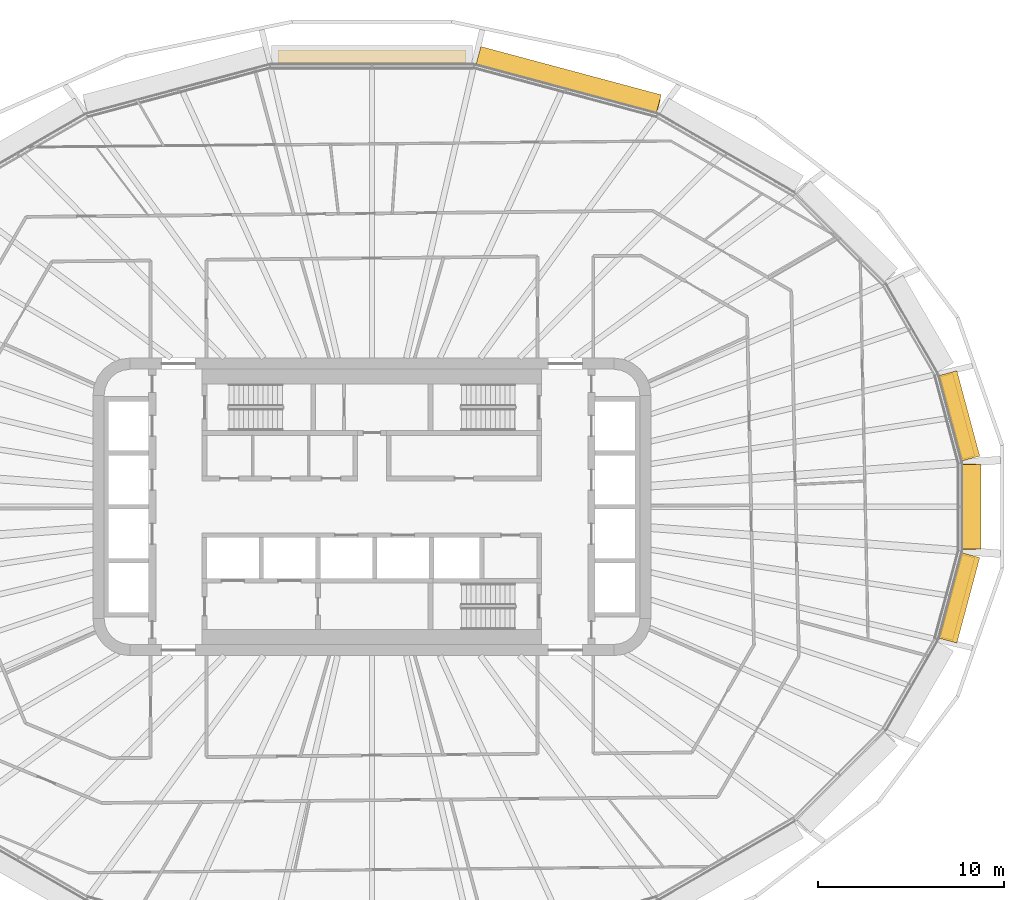
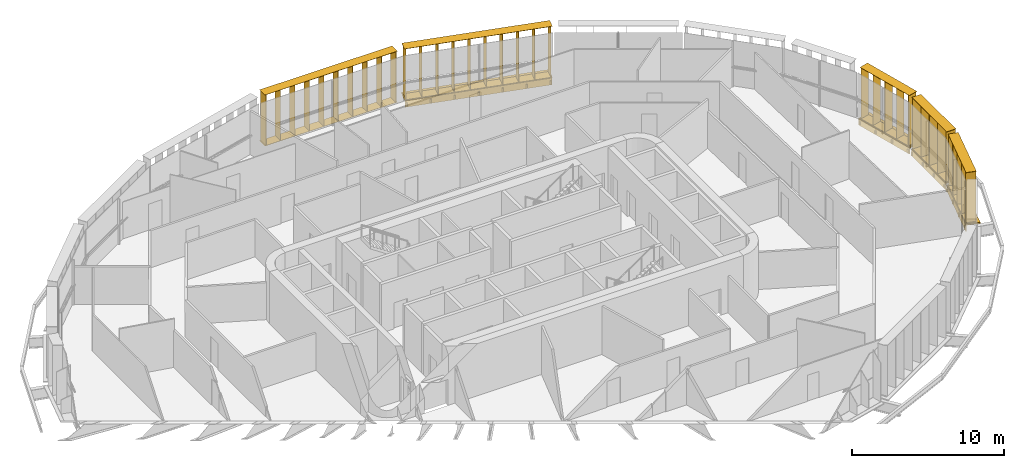
# One storey, part 26 of 26: 9 shading devices.
"""IFC4 building model written with IfcOpenShell, lengths in metres."""

from ifc_helpers import new_model, si_unit, direction, frame, origin, origin_2d, place, context, subcontext, project, spatial, rectangle, extrude, material, type_object, element, save


model = new_model("IFC4")

# Units and contexts
model_context = context("Model", 3, precision=1e-05, world=origin(), true_north=direction((0.0, 1.0)))
body_context = subcontext(model_context, "Body", "Model", "MODEL_VIEW")
ifc_project = project(units=[si_unit("LENGTHUNIT", "METRE"), si_unit("AREAUNIT", "SQUARE_METRE"), si_unit("VOLUMEUNIT", "CUBIC_METRE"), si_unit("PLANEANGLEUNIT", "RADIAN"), si_unit("MASSUNIT", "GRAM", prefix="KILO")], contexts=[model_context])

# Site, building, storey
site_placement = place(None, origin())
site = spatial("IfcSite", under=ifc_project, at=site_placement, CompositionType="ELEMENT")
building_placement = place(site_placement, origin())
building = spatial("IfcBuilding", under=site, at=building_placement, Name="Sahrelin Media Tower", CompositionType="ELEMENT")
storey_placement = place(building_placement, frame((0.0, 0.0, 88.199951171875)))
storey = spatial("IfcBuildingStorey", under=building, at=storey_placement, Name="L16", CompositionType="ELEMENT", Elevation=88.199951171875)

# Shading devices
ifc_material = material(Name="Champagne anodised aluminium 6063-T6", Category="aluminium")
shading_device_type_1 = type_object("IfcShadingDeviceType", Name="Fin cassette", PredefinedType="USERDEFINED", material=ifc_material)
placement_1 = place(storey_placement, frame((31.711181640625, 0.0, 0.0), z_axis=(0.0, 0.0, 1.0), x_axis=(0.0, -1.0, 0.0)))
element("IfcShadingDevice", 1, at=placement_1, inside=storey, type_object=shading_device_type_1, Name="L16:FIN:L16-00", ObjectType="FIN", PredefinedType="USERDEFINED", context=body_context, shape_type="SweptSolid", body=[
    extrude(rectangle(XDim=4.60009765625, YDim=0.699951171875, at=origin_2d()), frame((0.0, 0.419921875, 0.0)), (0.0, 0.0, 1.0), 0.02001953125),
    extrude(rectangle(XDim=4.60009765625, YDim=0.699951171875, at=origin_2d()), frame((0.0, 0.419921875, 4.10009765625)), (0.0, 0.0, 1.0), 0.02001953125),
    extrude(rectangle(XDim=0.02001953125, YDim=0.699951171875, at=origin_2d()), frame((-2.199951171875, 0.419921875, 0.010009765625), z_axis=(0.0, 0.0, 1.0), x_axis=(1.0, 0.0, 0.0)), (0.0, 0.0, 1.0), 4.10009765625),
    extrude(rectangle(XDim=0.02001953125, YDim=0.699951171875, at=origin_2d()), frame((-1.10009765625, 0.419921875, 0.010009765625), z_axis=(0.0, 0.0, 1.0), x_axis=(1.0, 0.0, 0.0)), (0.0, 0.0, 1.0), 4.10009765625),
    extrude(rectangle(XDim=0.02001953125, YDim=0.699951171875, at=origin_2d()), frame((0.0, 0.419921875, 0.010009765625), z_axis=(0.0, 0.0, 1.0), x_axis=(1.0, 0.0, 0.0)), (0.0, 0.0, 1.0), 4.10009765625),
    extrude(rectangle(XDim=0.02001953125, YDim=0.699951171875, at=origin_2d()), frame((1.10009765625, 0.419921875, 0.010009765625), z_axis=(0.0, 0.0, 1.0), x_axis=(1.0, 0.0, 0.0)), (0.0, 0.0, 1.0), 4.10009765625),
    extrude(rectangle(XDim=0.02001953125, YDim=0.699951171875, at=origin_2d()), frame((2.199951171875, 0.419921875, 0.010009765625), z_axis=(0.0, 0.0, 1.0), x_axis=(1.0, 0.0, 0.0)), (0.0, 0.0, 1.0), 4.10009765625),
])
placement_2 = place(storey_placement, frame((31.07080078125, 4.757568359375, 0.0), z_axis=(0.0, 0.0, 1.0), x_axis=(0.258807731996, -0.965928857556, 0.0)))
element("IfcShadingDevice", 2, at=placement_2, inside=storey, type_object=shading_device_type_1, Name="L16:FIN:L16-01", ObjectType="FIN", PredefinedType="USERDEFINED", context=body_context, shape_type="SweptSolid", body=[
    extrude(rectangle(XDim=4.60009765625, YDim=0.699951171875, at=origin_2d()), frame((0.0, 0.419921875, 0.0)), (0.0, 0.0, 1.0), 0.02001953125),
    extrude(rectangle(XDim=4.60009765625, YDim=0.699951171875, at=origin_2d()), frame((0.0, 0.419921875, 4.10009765625)), (0.0, 0.0, 1.0), 0.02001953125),
    extrude(rectangle(XDim=0.02001953125, YDim=0.699951171875, at=origin_2d()), frame((-2.199951171875, 0.419921875, 0.010009765625), z_axis=(0.0, 0.0, 1.0), x_axis=(1.0, 0.0, 0.0)), (0.0, 0.0, 1.0), 4.10009765625),
    extrude(rectangle(XDim=0.02001953125, YDim=0.699951171875, at=origin_2d()), frame((-1.10009765625, 0.419921875, 0.010009765625), z_axis=(0.0, 0.0, 1.0), x_axis=(1.0, 0.0, 0.0)), (0.0, 0.0, 1.0), 4.10009765625),
    extrude(rectangle(XDim=0.02001953125, YDim=0.699951171875, at=origin_2d()), frame((0.0, 0.419921875, 0.010009765625), z_axis=(0.0, 0.0, 1.0), x_axis=(1.0, 0.0, 0.0)), (0.0, 0.0, 1.0), 4.10009765625),
    extrude(rectangle(XDim=0.02001953125, YDim=0.699951171875, at=origin_2d()), frame((1.10009765625, 0.419921875, 0.010009765625), z_axis=(0.0, 0.0, 1.0), x_axis=(1.0, 0.0, 0.0)), (0.0, 0.0, 1.0), 4.10009765625),
    extrude(rectangle(XDim=0.02001953125, YDim=0.699951171875, at=origin_2d()), frame((2.199951171875, 0.419921875, 0.010009765625), z_axis=(0.0, 0.0, 1.0), x_axis=(1.0, 0.0, 0.0)), (0.0, 0.0, 1.0), 4.10009765625),
])
placement_3 = place(storey_placement, frame((10.436279296875, 22.4619140625, 0.0), z_axis=(0.0, 0.0, 1.0), x_axis=(0.965928857556, -0.258807731996, 0.0)))
element("IfcShadingDevice", 3, at=placement_3, inside=storey, type_object=shading_device_type_1, Name="L16:FIN:L16-05", ObjectType="FIN", PredefinedType="USERDEFINED", context=body_context, shape_type="SweptSolid", body=[
    extrude(rectangle(XDim=10.10009765625, YDim=0.699951171875, at=origin_2d()), frame((0.0, 0.419921875, 0.0)), (0.0, 0.0, 1.0), 0.02001953125),
    extrude(rectangle(XDim=10.10009765625, YDim=0.699951171875, at=origin_2d()), frame((0.0, 0.419921875, 4.10009765625)), (0.0, 0.0, 1.0), 0.02001953125),
    extrude(rectangle(XDim=0.02001953125, YDim=0.699951171875, at=origin_2d()), frame((-4.949951171875, 0.419921875, 0.010009765625), z_axis=(0.0, 0.0, 1.0), x_axis=(1.0, 0.0, 0.0)), (0.0, 0.0, 1.0), 4.10009765625),
    extrude(rectangle(XDim=0.02001953125, YDim=0.699951171875, at=origin_2d()), frame((-3.85009765625, 0.419921875, 0.010009765625), z_axis=(0.0, 0.0, 1.0), x_axis=(1.0, 0.0, 0.0)), (0.0, 0.0, 1.0), 4.10009765625),
    extrude(rectangle(XDim=0.02001953125, YDim=0.699951171875, at=origin_2d()), frame((-2.75, 0.419921875, 0.010009765625), z_axis=(0.0, 0.0, 1.0), x_axis=(1.0, 0.0, 0.0)), (0.0, 0.0, 1.0), 4.10009765625),
    extrude(rectangle(XDim=0.02001953125, YDim=0.699951171875, at=origin_2d()), frame((-1.64990234375, 0.419921875, 0.010009765625), z_axis=(0.0, 0.0, 1.0), x_axis=(1.0, 0.0, 0.0)), (0.0, 0.0, 1.0), 4.10009765625),
    extrude(rectangle(XDim=0.02001953125, YDim=0.699951171875, at=origin_2d()), frame((-0.550048828125, 0.419921875, 0.010009765625), z_axis=(0.0, 0.0, 1.0), x_axis=(1.0, 0.0, 0.0)), (0.0, 0.0, 1.0), 4.10009765625),
    extrude(rectangle(XDim=0.02001953125, YDim=0.699951171875, at=origin_2d()), frame((0.550048828125, 0.419921875, 0.010009765625), z_axis=(0.0, 0.0, 1.0), x_axis=(1.0, 0.0, 0.0)), (0.0, 0.0, 1.0), 4.10009765625),
    extrude(rectangle(XDim=0.02001953125, YDim=0.699951171875, at=origin_2d()), frame((1.64990234375, 0.419921875, 0.010009765625), z_axis=(0.0, 0.0, 1.0), x_axis=(1.0, 0.0, 0.0)), (0.0, 0.0, 1.0), 4.10009765625),
    extrude(rectangle(XDim=0.02001953125, YDim=0.699951171875, at=origin_2d()), frame((2.75, 0.419921875, 0.010009765625), z_axis=(0.0, 0.0, 1.0), x_axis=(1.0, 0.0, 0.0)), (0.0, 0.0, 1.0), 4.10009765625),
    extrude(rectangle(XDim=0.02001953125, YDim=0.699951171875, at=origin_2d()), frame((3.85009765625, 0.419921875, 0.010009765625), z_axis=(0.0, 0.0, 1.0), x_axis=(1.0, 0.0, 0.0)), (0.0, 0.0, 1.0), 4.10009765625),
    extrude(rectangle(XDim=0.02001953125, YDim=0.699951171875, at=origin_2d()), frame((4.949951171875, 0.419921875, 0.010009765625), z_axis=(0.0, 0.0, 1.0), x_axis=(1.0, 0.0, 0.0)), (0.0, 0.0, 1.0), 4.10009765625),
])
shading_device_4_placement = place(storey_placement, frame((0.0, 23.786376953125, 0.0), z_axis=(0.0, 0.0, 1.0), x_axis=(1.0, 0.0, 0.0)))
element("IfcShadingDevice", 4, at=shading_device_4_placement, inside=storey, type_object=shading_device_type_1, Name="L16:FIN:L16-06", ObjectType="FIN", PredefinedType="USERDEFINED", context=body_context, shape_type="SweptSolid", body=[
    extrude(rectangle(XDim=10.10009765625, YDim=0.699951171875, at=origin_2d()), frame((0.0, 0.419921875, 0.0)), (0.0, 0.0, 1.0), 0.02001953125),
    extrude(rectangle(XDim=10.10009765625, YDim=0.699951171875, at=origin_2d()), frame((0.0, 0.419921875, 4.10009765625)), (0.0, 0.0, 1.0), 0.02001953125),
    extrude(rectangle(XDim=0.02001953125, YDim=0.699951171875, at=origin_2d()), frame((-4.949951171875, 0.419921875, 0.010009765625), z_axis=(0.0, 0.0, 1.0), x_axis=(1.0, 0.0, 0.0)), (0.0, 0.0, 1.0), 4.10009765625),
    extrude(rectangle(XDim=0.02001953125, YDim=0.699951171875, at=origin_2d()), frame((-3.85009765625, 0.419921875, 0.010009765625), z_axis=(0.0, 0.0, 1.0), x_axis=(1.0, 0.0, 0.0)), (0.0, 0.0, 1.0), 4.10009765625),
    extrude(rectangle(XDim=0.02001953125, YDim=0.699951171875, at=origin_2d()), frame((-2.75, 0.419921875, 0.010009765625), z_axis=(0.0, 0.0, 1.0), x_axis=(1.0, 0.0, 0.0)), (0.0, 0.0, 1.0), 4.10009765625),
    extrude(rectangle(XDim=0.02001953125, YDim=0.699951171875, at=origin_2d()), frame((-1.64990234375, 0.419921875, 0.010009765625), z_axis=(0.0, 0.0, 1.0), x_axis=(1.0, 0.0, 0.0)), (0.0, 0.0, 1.0), 4.10009765625),
    extrude(rectangle(XDim=0.02001953125, YDim=0.699951171875, at=origin_2d()), frame((-0.550048828125, 0.419921875, 0.010009765625), z_axis=(0.0, 0.0, 1.0), x_axis=(1.0, 0.0, 0.0)), (0.0, 0.0, 1.0), 4.10009765625),
    extrude(rectangle(XDim=0.02001953125, YDim=0.699951171875, at=origin_2d()), frame((0.550048828125, 0.419921875, 0.010009765625), z_axis=(0.0, 0.0, 1.0), x_axis=(1.0, 0.0, 0.0)), (0.0, 0.0, 1.0), 4.10009765625),
    extrude(rectangle(XDim=0.02001953125, YDim=0.699951171875, at=origin_2d()), frame((1.64990234375, 0.419921875, 0.010009765625), z_axis=(0.0, 0.0, 1.0), x_axis=(1.0, 0.0, 0.0)), (0.0, 0.0, 1.0), 4.10009765625),
    extrude(rectangle(XDim=0.02001953125, YDim=0.699951171875, at=origin_2d()), frame((2.75, 0.419921875, 0.010009765625), z_axis=(0.0, 0.0, 1.0), x_axis=(1.0, 0.0, 0.0)), (0.0, 0.0, 1.0), 4.10009765625),
    extrude(rectangle(XDim=0.02001953125, YDim=0.699951171875, at=origin_2d()), frame((3.85009765625, 0.419921875, 0.010009765625), z_axis=(0.0, 0.0, 1.0), x_axis=(1.0, 0.0, 0.0)), (0.0, 0.0, 1.0), 4.10009765625),
    extrude(rectangle(XDim=0.02001953125, YDim=0.699951171875, at=origin_2d()), frame((4.949951171875, 0.419921875, 0.010009765625), z_axis=(0.0, 0.0, 1.0), x_axis=(1.0, 0.0, 0.0)), (0.0, 0.0, 1.0), 4.10009765625),
])
placement_4 = place(storey_placement, frame((31.07080078125, -4.757568359375, 0.0), z_axis=(0.0, 0.0, 1.0), x_axis=(-0.258807731996, -0.965928857556, 0.0)))
element("IfcShadingDevice", 5, at=placement_4, inside=storey, type_object=shading_device_type_1, Name="L16:FIN:L16-23", ObjectType="FIN", PredefinedType="USERDEFINED", context=body_context, shape_type="SweptSolid", body=[
    extrude(rectangle(XDim=4.60009765625, YDim=0.699951171875, at=origin_2d()), frame((0.0, 0.419921875, 0.0)), (0.0, 0.0, 1.0), 0.02001953125),
    extrude(rectangle(XDim=4.60009765625, YDim=0.699951171875, at=origin_2d()), frame((0.0, 0.419921875, 4.10009765625)), (0.0, 0.0, 1.0), 0.02001953125),
    extrude(rectangle(XDim=0.02001953125, YDim=0.699951171875, at=origin_2d()), frame((-2.199951171875, 0.419921875, 0.010009765625), z_axis=(0.0, 0.0, 1.0), x_axis=(1.0, 0.0, 0.0)), (0.0, 0.0, 1.0), 4.10009765625),
    extrude(rectangle(XDim=0.02001953125, YDim=0.699951171875, at=origin_2d()), frame((-1.10009765625, 0.419921875, 0.010009765625), z_axis=(0.0, 0.0, 1.0), x_axis=(1.0, 0.0, 0.0)), (0.0, 0.0, 1.0), 4.10009765625),
    extrude(rectangle(XDim=0.02001953125, YDim=0.699951171875, at=origin_2d()), frame((0.0, 0.419921875, 0.010009765625), z_axis=(0.0, 0.0, 1.0), x_axis=(1.0, 0.0, 0.0)), (0.0, 0.0, 1.0), 4.10009765625),
    extrude(rectangle(XDim=0.02001953125, YDim=0.699951171875, at=origin_2d()), frame((1.10009765625, 0.419921875, 0.010009765625), z_axis=(0.0, 0.0, 1.0), x_axis=(1.0, 0.0, 0.0)), (0.0, 0.0, 1.0), 4.10009765625),
    extrude(rectangle(XDim=0.02001953125, YDim=0.699951171875, at=origin_2d()), frame((2.199951171875, 0.419921875, 0.010009765625), z_axis=(0.0, 0.0, 1.0), x_axis=(1.0, 0.0, 0.0)), (0.0, 0.0, 1.0), 4.10009765625),
])
shading_device_type_2 = type_object("IfcShadingDeviceType", Name="Sunshade band", PredefinedType="USERDEFINED", material=ifc_material)
element("IfcShadingDevice", 6, at=placement_1, inside=storey, type_object=shading_device_type_2, Name="L16:SUN:L16-00", ObjectType="SUNSHADE", PredefinedType="USERDEFINED", context=body_context, shape_type="SweptSolid", body=[
    extrude(rectangle(XDim=4.533447265625, YDim=0.050048828125, at=origin_2d()), frame((0.0, 0.044921875, -0.55126953125)), (0.0, 0.0, 1.0), 0.471435546875),
    extrude(rectangle(XDim=4.533447265625, YDim=1.0, at=origin_2d()), frame((0.0, 0.52001953125, -0.080078125)), (0.0, 0.0, 1.0), 0.080078125),
    extrude(rectangle(XDim=0.10009765625, YDim=0.074951171875, at=origin_2d()), frame((-2.166748046875, -0.017578125, -0.47021484375)), (0.0, 0.0, 1.0), 0.300048828125),
    extrude(rectangle(XDim=0.10009765625, YDim=0.074951171875, at=origin_2d()), frame((-0.72216796875, -0.017578125, -0.47021484375)), (0.0, 0.0, 1.0), 0.300048828125),
    extrude(rectangle(XDim=0.10009765625, YDim=0.074951171875, at=origin_2d()), frame((0.72216796875, -0.017578125, -0.47021484375)), (0.0, 0.0, 1.0), 0.300048828125),
    extrude(rectangle(XDim=0.10009765625, YDim=0.074951171875, at=origin_2d()), frame((2.166748046875, -0.017578125, -0.47021484375)), (0.0, 0.0, 1.0), 0.300048828125),
])
element("IfcShadingDevice", 7, at=placement_2, inside=storey, type_object=shading_device_type_2, Name="L16:SUN:L16-01", ObjectType="SUNSHADE", PredefinedType="USERDEFINED", context=body_context, shape_type="SweptSolid", body=[
    extrude(rectangle(XDim=4.75048828125, YDim=0.050048828125, at=origin_2d()), frame((0.0, 0.044921875, -0.55126953125)), (0.0, 0.0, 1.0), 0.471435546875),
    extrude(rectangle(XDim=4.75048828125, YDim=1.0, at=origin_2d()), frame((0.0, 0.52001953125, -0.080078125)), (0.0, 0.0, 1.0), 0.080078125),
    extrude(rectangle(XDim=0.10009765625, YDim=0.074951171875, at=origin_2d()), frame((-2.275390625, -0.017578125, -0.47021484375)), (0.0, 0.0, 1.0), 0.300048828125),
    extrude(rectangle(XDim=0.10009765625, YDim=0.074951171875, at=origin_2d()), frame((-0.75830078125, -0.017578125, -0.47021484375)), (0.0, 0.0, 1.0), 0.300048828125),
    extrude(rectangle(XDim=0.10009765625, YDim=0.074951171875, at=origin_2d()), frame((0.75830078125, -0.017578125, -0.47021484375)), (0.0, 0.0, 1.0), 0.300048828125),
    extrude(rectangle(XDim=0.10009765625, YDim=0.074951171875, at=origin_2d()), frame((2.275390625, -0.017578125, -0.47021484375)), (0.0, 0.0, 1.0), 0.300048828125),
])
element("IfcShadingDevice", 8, at=placement_3, inside=storey, type_object=shading_device_type_2, Name="L16:SUN:L16-05", ObjectType="SUNSHADE", PredefinedType="USERDEFINED", context=body_context, shape_type="SweptSolid", body=[
    extrude(rectangle(XDim=10.033203125, YDim=0.050048828125, at=origin_2d()), frame((0.0, 0.044921875, -0.55126953125)), (0.0, 0.0, 1.0), 0.471435546875),
    extrude(rectangle(XDim=10.033203125, YDim=1.0, at=origin_2d()), frame((0.0, 0.52001953125, -0.080078125)), (0.0, 0.0, 1.0), 0.080078125),
    extrude(rectangle(XDim=0.10009765625, YDim=0.074951171875, at=origin_2d()), frame((-4.91650390625, -0.017578125, -0.47021484375)), (0.0, 0.0, 1.0), 0.300048828125),
    extrude(rectangle(XDim=0.10009765625, YDim=0.074951171875, at=origin_2d()), frame((-3.277587890625, -0.017578125, -0.47021484375)), (0.0, 0.0, 1.0), 0.300048828125),
    extrude(rectangle(XDim=0.10009765625, YDim=0.074951171875, at=origin_2d()), frame((-1.638916015625, -0.017578125, -0.47021484375)), (0.0, 0.0, 1.0), 0.300048828125),
    extrude(rectangle(XDim=0.10009765625, YDim=0.074951171875, at=origin_2d()), frame((0.0, -0.017578125, -0.47021484375)), (0.0, 0.0, 1.0), 0.300048828125),
    extrude(rectangle(XDim=0.10009765625, YDim=0.074951171875, at=origin_2d()), frame((1.638916015625, -0.017578125, -0.47021484375)), (0.0, 0.0, 1.0), 0.300048828125),
    extrude(rectangle(XDim=0.10009765625, YDim=0.074951171875, at=origin_2d()), frame((3.277587890625, -0.017578125, -0.47021484375)), (0.0, 0.0, 1.0), 0.300048828125),
    extrude(rectangle(XDim=0.10009765625, YDim=0.074951171875, at=origin_2d()), frame((4.91650390625, -0.017578125, -0.47021484375)), (0.0, 0.0, 1.0), 0.300048828125),
])
element("IfcShadingDevice", 9, at=placement_4, inside=storey, type_object=shading_device_type_2, Name="L16:SUN:L16-23", ObjectType="SUNSHADE", PredefinedType="USERDEFINED", context=body_context, shape_type="SweptSolid", body=[
    extrude(rectangle(XDim=4.75048828125, YDim=0.050048828125, at=origin_2d()), frame((0.0, 0.044921875, -0.55126953125)), (0.0, 0.0, 1.0), 0.471435546875),
    extrude(rectangle(XDim=4.75048828125, YDim=1.0, at=origin_2d()), frame((0.0, 0.52001953125, -0.080078125)), (0.0, 0.0, 1.0), 0.080078125),
    extrude(rectangle(XDim=0.10009765625, YDim=0.074951171875, at=origin_2d()), frame((-2.275390625, -0.017578125, -0.47021484375)), (0.0, 0.0, 1.0), 0.300048828125),
    extrude(rectangle(XDim=0.10009765625, YDim=0.074951171875, at=origin_2d()), frame((-0.75830078125, -0.017578125, -0.47021484375)), (0.0, 0.0, 1.0), 0.300048828125),
    extrude(rectangle(XDim=0.10009765625, YDim=0.074951171875, at=origin_2d()), frame((0.75830078125, -0.017578125, -0.47021484375)), (0.0, 0.0, 1.0), 0.300048828125),
    extrude(rectangle(XDim=0.10009765625, YDim=0.074951171875, at=origin_2d()), frame((2.275390625, -0.017578125, -0.47021484375)), (0.0, 0.0, 1.0), 0.300048828125),
])

save(model, "model.ifc")
